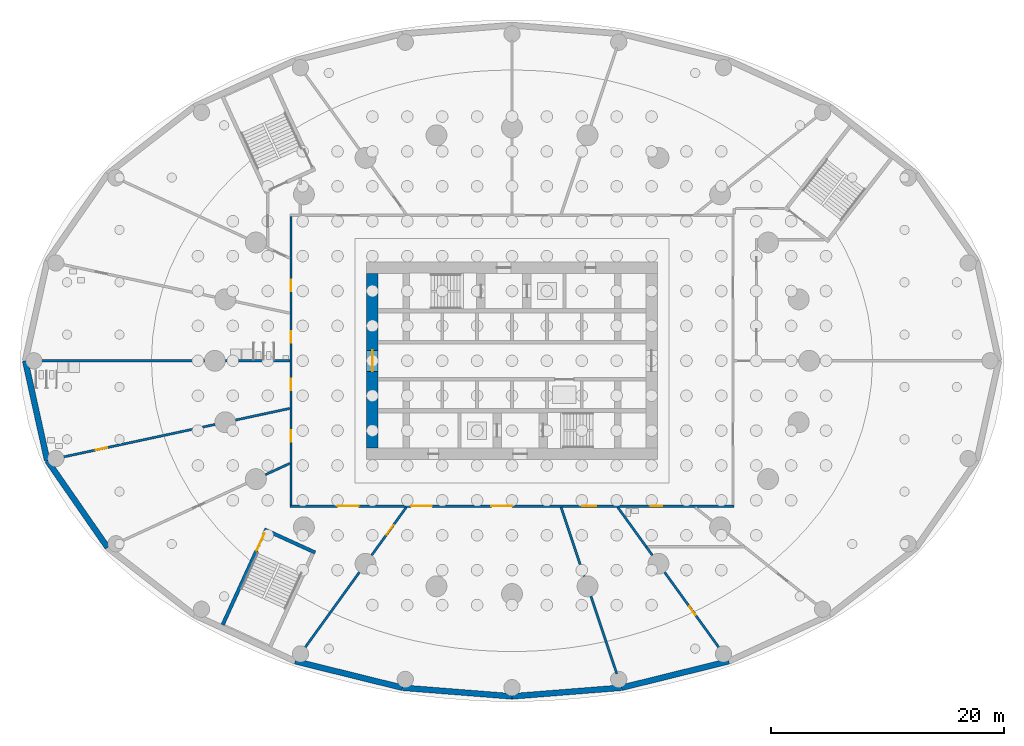
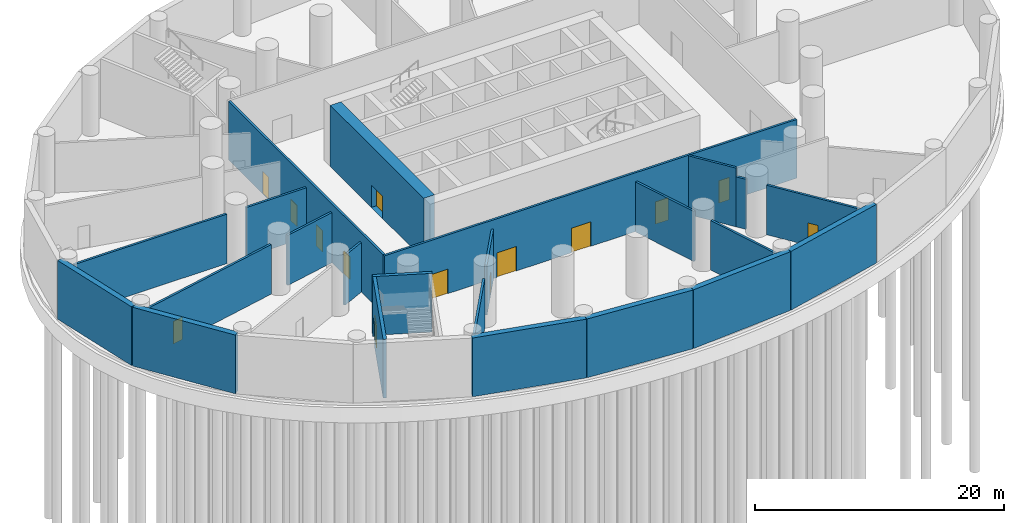
# One storey, part 4 of 12: 23 walls, 14 doors, 14 openings.
"""IFC4 building model written with IfcOpenShell, lengths in metres."""

from ifc_helpers import new_model, si_unit, direction, frame, frame_2d, origin, place, context, subcontext, project, spatial, rectangle, extrude, material, layer, layer_set, type_object, element, fill, save


model = new_model("IFC4")

# Units and contexts
model_context = context("Model", 3, precision=1e-05, world=origin(), true_north=direction((0.0, 1.0)))
body_context = subcontext(model_context, "Body", "Model", "MODEL_VIEW")
ifc_project = project(units=[si_unit("LENGTHUNIT", "METRE"), si_unit("AREAUNIT", "SQUARE_METRE"), si_unit("VOLUMEUNIT", "CUBIC_METRE"), si_unit("PLANEANGLEUNIT", "RADIAN"), si_unit("MASSUNIT", "GRAM", prefix="KILO")], contexts=[model_context])

# Site, building, storey
site_placement = place(None, origin())
site = spatial("IfcSite", under=ifc_project, at=site_placement, CompositionType="ELEMENT")
building_placement = place(site_placement, origin())
building = spatial("IfcBuilding", under=site, at=building_placement, Name="Hankou Lantern Tower", CompositionType="ELEMENT")
storey_placement = place(building_placement, frame((0.0, 0.0, -6.0)))
storey = spatial("IfcBuildingStorey", under=building, at=storey_placement, Name="B1", CompositionType="ELEMENT", Elevation=-6.0)

# Wall, opening, door
ifc_material_1 = material(Name="Concrete C60", Category="concrete")
ifc_layer_1 = layer(ifc_material_1, 1.0)
ifc_layer_set_1 = layer_set([ifc_layer_1], Name="Concrete C60")
wall_type_1 = type_object("IfcWallType", Name="CW1 CORE WALL 1000", PredefinedType="SHEAR", material=ifc_layer_set_1)
wall_1_placement = place(storey_placement, frame((-12.0, 7.5, 0.0), z_axis=(0.0, 0.0, 1.0), x_axis=(0.0, -1.0, 0.0)))
wall_1 = element("IfcWall", 1, at=wall_1_placement, inside=storey, type_object=wall_type_1, Name="Core wall west B1", PredefinedType="SHEAR", context=body_context, shape_type="SweptSolid", body=[
    extrude(rectangle(XDim=15.0, YDim=1.0, at=frame_2d((7.5, 0.0))), origin(), (0.0, 0.0, 1.0), 6.0),
])
opening_1_placement = place(wall_1_placement, frame((6.60009765625, 0.0, 0.0)))
opening_1 = element("IfcOpeningElement", 2, at=opening_1_placement, cuts=wall_1, Name="Opening D6", PredefinedType="OPENING", context=body_context, shape_type="SweptSolid", body=[
    extrude(rectangle(XDim=1.800048828125, YDim=2.199951171875, at=frame_2d((0.89990234375, 1.10009765625))), frame((0.0, 0.510009765625, 0.0), z_axis=(0.0, -1.0, 0.0), x_axis=(1.0, 0.0, 0.0)), (0.0, 0.0, 1.0), 1.02001953125),
])
ifc_material_2 = material(Name="Steel door leaf", Category="steel")
door_type_1 = type_object("IfcDoorType", Name="D6 LIFT LOBBY DOOR 1800X2200", OperationType="DOUBLE_DOOR_DOUBLE_SWING", PredefinedType="DOOR", material=ifc_material_2)
door_1_placement = place(opening_1_placement, origin())
door_1 = element("IfcDoor", 3, at=door_1_placement, inside=storey, type_object=door_type_1, Name="Lift lobby west door", OperationType="DOUBLE_DOOR_DOUBLE_SWING", OverallHeight=2.199951171875, OverallWidth=1.800048828125, PredefinedType="DOOR", context=body_context, shape_type="SweptSolid", body=[
    extrude(rectangle(XDim=1.800048828125, YDim=2.199951171875, at=frame_2d((0.89990234375, 1.10009765625))), frame((0.0, 0.02490234375, 0.0), z_axis=(0.0, -1.0, 0.0), x_axis=(1.0, 0.0, 0.0)), (0.0, 0.0, 1.0), 0.050048828125),
])
fill(opening_1, door_1)

ifc_material_3 = material(Name="Concrete C50", Category="concrete")
ifc_layer_2 = layer(ifc_material_3, 0.300048828125)
ifc_layer_set_2 = layer_set([ifc_layer_2], Name="Concrete C50")
wall_type_2 = type_object("IfcWallType", Name="CW7 PODIUM STAIR WALL 300", PredefinedType="SHEAR", material=ifc_layer_set_2)
wall_2_placement = place(storey_placement, frame((-21.218994140625, -14.690673828125, 0.0), z_axis=(0.0, 0.0, 1.0), x_axis=(-0.41534319891, -0.909664788325, 0.0)))
wall_2 = element("IfcWall", 4, at=wall_2_placement, inside=storey, type_object=wall_type_2, Name="Basement stair BS3 wall", PredefinedType="SHEAR", context=body_context, shape_type="SweptSolid", body=[
    extrude(rectangle(XDim=8.81005859375, YDim=0.300048828125, at=frame_2d((4.405029296875, 0.0))), origin(), (0.0, 0.0, 1.0), 5.75),
])
opening_2_placement = place(wall_2_placement, frame((0.169921875, 0.0, 0.0)))
opening_2 = element("IfcOpeningElement", 5, at=opening_2_placement, cuts=wall_2, Name="Opening D16", PredefinedType="OPENING", context=body_context, shape_type="SweptSolid", body=[
    extrude(rectangle(XDim=1.60009765625, YDim=2.10009765625, at=frame_2d((0.800048828125, 1.050048828125))), frame((0.0, 0.159912109375, 0.0), z_axis=(0.0, -1.0, 0.0), x_axis=(1.0, 0.0, 0.0)), (0.0, 0.0, 1.0), 0.320068359375),
])
ifc_material_4 = material(Name="Steel door leaf", Category="steel")
door_type_2 = type_object("IfcDoorType", Name="D16 PODIUM STAIR DOOR 1600X2100", OperationType="SINGLE_SWING_LEFT", PredefinedType="DOOR", material=ifc_material_4)
door_2_placement = place(opening_2_placement, origin())
door_2 = element("IfcDoor", 6, at=door_2_placement, inside=storey, type_object=door_type_2, Name="Basement stair BS3 door", OperationType="SINGLE_SWING_LEFT", OverallHeight=2.10009765625, OverallWidth=1.60009765625, PredefinedType="DOOR", context=body_context, shape_type="SweptSolid", body=[
    extrude(rectangle(XDim=1.60009765625, YDim=2.10009765625, at=frame_2d((0.800048828125, 1.050048828125))), frame((0.0, 0.02490234375, 0.0), z_axis=(0.0, -1.0, 0.0), x_axis=(1.0, 0.0, 0.0)), (0.0, 0.0, 1.0), 0.050048828125),
])
fill(opening_2, door_2)

# Wall
wall_3_placement = place(storey_placement, frame((-16.9267578125, -16.4853515625, 0.0), z_axis=(0.0, 0.0, 1.0), x_axis=(-0.90966669911, 0.415339013975, 0.0)))
element("IfcWall", 7, at=wall_3_placement, inside=storey, type_object=wall_type_2, Name="Basement stair BS3 wall", PredefinedType="SHEAR", context=body_context, shape_type="SweptSolid", body=[
    extrude(rectangle(XDim=4.800048828125, YDim=0.300048828125, at=frame_2d((2.39990234375, 0.0))), origin(), (0.0, 0.0, 1.0), 5.75),
])

# Wall, openings, doors
ifc_material_5 = material(Name="Masonry dense concrete block", Category="masonry")
ifc_layer_3 = layer(ifc_material_5, 0.199951171875)
ifc_layer_set_3 = layer_set([ifc_layer_3], Name="Masonry dense concrete block")
wall_type_3 = type_object("IfcWallType", Name="FW1 COMPARTMENT FIRE WALL 200", PredefinedType="PARTITIONING", material=ifc_layer_set_3)
wall_4_placement = place(storey_placement, frame((19.10009765625, -12.5, 0.0), z_axis=(0.0, 0.0, 1.0), x_axis=(-1.0, 0.0, 0.0)))
wall_4 = element("IfcWall", 8, at=wall_4_placement, inside=storey, type_object=wall_type_3, Name="Foyer fire wall south", PredefinedType="PARTITIONING", context=body_context, shape_type="SweptSolid", body=[
    extrude(rectangle(XDim=38.2001953125, YDim=0.199951171875, at=frame_2d((19.10009765625, 0.0))), origin(), (0.0, 0.0, 1.0), 5.75),
])
opening_3_placement = place(wall_4_placement, frame((32.296630859375, 0.0, 0.0)))
opening_3 = element("IfcOpeningElement", 9, at=opening_3_placement, cuts=wall_4, Name="Opening D36", PredefinedType="OPENING", context=body_context, shape_type="SweptSolid", body=[
    extrude(rectangle(XDim=1.800048828125, YDim=2.39990234375, at=frame_2d((0.89990234375, 1.199951171875))), frame((0.0, 0.10986328125, 0.0), z_axis=(0.0, -1.0, 0.0), x_axis=(1.0, 0.0, 0.0)), (0.0, 0.0, 1.0), 0.219970703125),
])
opening_4_placement = place(wall_4_placement, frame((19.079345703125, 0.0, 0.0)))
opening_4 = element("IfcOpeningElement", 10, at=opening_4_placement, cuts=wall_4, Name="Opening D36", PredefinedType="OPENING", context=body_context, shape_type="SweptSolid", body=[
    extrude(rectangle(XDim=1.800048828125, YDim=2.39990234375, at=frame_2d((0.89990234375, 1.199951171875))), frame((0.0, 0.10986328125, 0.0), z_axis=(0.0, -1.0, 0.0), x_axis=(1.0, 0.0, 0.0)), (0.0, 0.0, 1.0), 0.219970703125),
])
opening_5_placement = place(wall_4_placement, frame((11.84326171875, 0.0, 0.0)))
opening_5 = element("IfcOpeningElement", 11, at=opening_5_placement, cuts=wall_4, Name="Opening D39", PredefinedType="OPENING", context=body_context, shape_type="SweptSolid", body=[
    extrude(rectangle(XDim=1.199951171875, YDim=2.199951171875, at=frame_2d((0.60009765625, 1.10009765625))), frame((0.0, 0.10986328125, 0.0), z_axis=(0.0, -1.0, 0.0), x_axis=(1.0, 0.0, 0.0)), (0.0, 0.0, 1.0), 0.219970703125),
])
opening_6_placement = place(wall_4_placement, frame((6.178466796875, 0.0, 0.0)))
opening_6 = element("IfcOpeningElement", 12, at=opening_6_placement, cuts=wall_4, Name="Opening D38", PredefinedType="OPENING", context=body_context, shape_type="SweptSolid", body=[
    extrude(rectangle(XDim=1.0, YDim=2.199951171875, at=frame_2d((0.5, 1.10009765625))), frame((0.0, 0.10986328125, 0.0), z_axis=(0.0, -1.0, 0.0), x_axis=(1.0, 0.0, 0.0)), (0.0, 0.0, 1.0), 0.219970703125),
])
opening_7_placement = place(wall_4_placement, frame((25.979248046875, 0.0, 0.0)))
opening_7 = element("IfcOpeningElement", 13, at=opening_7_placement, cuts=wall_4, Name="Opening D36", PredefinedType="OPENING", context=body_context, shape_type="SweptSolid", body=[
    extrude(rectangle(XDim=1.800048828125, YDim=2.39990234375, at=frame_2d((0.89990234375, 1.199951171875))), frame((0.0, 0.10986328125, 0.0), z_axis=(0.0, -1.0, 0.0), x_axis=(1.0, 0.0, 0.0)), (0.0, 0.0, 1.0), 0.219970703125),
])
ifc_material_6 = material(Name="Steel door leaf", Category="steel")
door_type_3 = type_object("IfcDoorType", Name="D36 CLASS A DOUBLE DOOR 1800X2400", OperationType="DOUBLE_DOOR_DOUBLE_SWING", PredefinedType="DOOR", material=ifc_material_6)
door_3_placement = place(opening_3_placement, origin())
door_3 = element("IfcDoor", 14, at=door_3_placement, inside=storey, type_object=door_type_3, Name="Staff dining room door", OperationType="DOUBLE_DOOR_DOUBLE_SWING", OverallHeight=2.39990234375, OverallWidth=1.800048828125, PredefinedType="DOOR", context=body_context, shape_type="SweptSolid", body=[
    extrude(rectangle(XDim=1.800048828125, YDim=2.39990234375, at=frame_2d((0.89990234375, 1.199951171875))), frame((0.0, 0.02490234375, 0.0), z_axis=(0.0, -1.0, 0.0), x_axis=(1.0, 0.0, 0.0)), (0.0, 0.0, 1.0), 0.050048828125),
])
fill(opening_3, door_3)
door_4_placement = place(opening_4_placement, origin())
door_4 = element("IfcDoor", 15, at=door_4_placement, inside=storey, type_object=door_type_3, Name="Laundry door", OperationType="DOUBLE_DOOR_DOUBLE_SWING", OverallHeight=2.39990234375, OverallWidth=1.800048828125, PredefinedType="DOOR", context=body_context, shape_type="SweptSolid", body=[
    extrude(rectangle(XDim=1.800048828125, YDim=2.39990234375, at=frame_2d((0.89990234375, 1.199951171875))), frame((0.0, 0.02490234375, 0.0), z_axis=(0.0, -1.0, 0.0), x_axis=(1.0, 0.0, 0.0)), (0.0, 0.0, 1.0), 0.050048828125),
])
fill(opening_4, door_4)
door_5_placement = place(opening_7_placement, origin())
door_5 = element("IfcDoor", 16, at=door_5_placement, inside=storey, type_object=door_type_3, Name="Laundry second door", OperationType="DOUBLE_DOOR_DOUBLE_SWING", OverallHeight=2.39990234375, OverallWidth=1.800048828125, PredefinedType="DOOR", context=body_context, shape_type="SweptSolid", body=[
    extrude(rectangle(XDim=1.800048828125, YDim=2.39990234375, at=frame_2d((0.89990234375, 1.199951171875))), frame((0.0, 0.02490234375, 0.0), z_axis=(0.0, -1.0, 0.0), x_axis=(1.0, 0.0, 0.0)), (0.0, 0.0, 1.0), 0.050048828125),
])
fill(opening_7, door_5)
ifc_material_7 = material(Name="Steel door leaf", Category="steel")
door_type_4 = type_object("IfcDoorType", Name="D38 CLASS A ACCESSIBLE WC DOOR 1000X2200", OperationType="SLIDING_TO_LEFT", PredefinedType="DOOR", material=ifc_material_7)
door_6_placement = place(opening_6_placement, origin())
door_6 = element("IfcDoor", 17, at=door_6_placement, inside=storey, type_object=door_type_4, Name="Accessible staff WC door", OperationType="SLIDING_TO_LEFT", OverallHeight=2.199951171875, OverallWidth=1.0, PredefinedType="DOOR", context=body_context, shape_type="SweptSolid", body=[
    extrude(rectangle(XDim=1.0, YDim=2.199951171875, at=frame_2d((0.5, 1.10009765625))), frame((0.0, 0.02490234375, 0.0), z_axis=(0.0, -1.0, 0.0), x_axis=(1.0, 0.0, 0.0)), (0.0, 0.0, 1.0), 0.050048828125),
])
fill(opening_6, door_6)
ifc_material_8 = material(Name="Steel door leaf", Category="steel")
door_type_5 = type_object("IfcDoorType", Name="D39 CLASS A STORE DOOR 1200X2200", OperationType="SINGLE_SWING_LEFT", PredefinedType="DOOR", material=ifc_material_8)
door_7_placement = place(opening_5_placement, origin())
door_7 = element("IfcDoor", 18, at=door_7_placement, inside=storey, type_object=door_type_5, Name="Housekeeping store door", OperationType="SINGLE_SWING_RIGHT", OverallHeight=2.199951171875, OverallWidth=1.199951171875, PredefinedType="DOOR", context=body_context, shape_type="SweptSolid", body=[
    extrude(rectangle(XDim=1.199951171875, YDim=2.199951171875, at=frame_2d((0.60009765625, 1.10009765625))), frame((0.0, 0.02490234375, 0.0), z_axis=(0.0, -1.0, 0.0), x_axis=(1.0, 0.0, 0.0)), (0.0, 0.0, 1.0), 0.050048828125),
])
fill(opening_5, door_7)

wall_5_placement = place(storey_placement, frame((-19.0, 12.39990234375, 0.0), z_axis=(0.0, 0.0, 1.0), x_axis=(0.0, -1.0, 0.0)))
wall_5 = element("IfcWall", 19, at=wall_5_placement, inside=storey, type_object=wall_type_3, Name="Foyer fire wall west", PredefinedType="PARTITIONING", context=body_context, shape_type="SweptSolid", body=[
    extrude(rectangle(XDim=24.7998046875, YDim=0.199951171875, at=frame_2d((12.39990234375, 0.0))), origin(), (0.0, 0.0, 1.0), 5.75),
])
opening_8_placement = place(wall_5_placement, frame((5.44189453125, 0.0, 0.0)))
opening_8 = element("IfcOpeningElement", 20, at=opening_8_placement, cuts=wall_5, Name="Opening D40", PredefinedType="OPENING", context=body_context, shape_type="SweptSolid", body=[
    extrude(rectangle(XDim=1.0, YDim=2.199951171875, at=frame_2d((0.5, 1.10009765625))), frame((0.0, 0.10986328125, 0.0), z_axis=(0.0, -1.0, 0.0), x_axis=(1.0, 0.0, 0.0)), (0.0, 0.0, 1.0), 0.219970703125),
])
opening_9_placement = place(wall_5_placement, frame((9.852783203125, 0.0, 0.0)))
opening_9 = element("IfcOpeningElement", 21, at=opening_9_placement, cuts=wall_5, Name="Opening D37", PredefinedType="OPENING", context=body_context, shape_type="SweptSolid", body=[
    extrude(rectangle(XDim=1.0, YDim=2.10009765625, at=frame_2d((0.5, 1.050048828125))), frame((0.0, 0.10986328125, 0.0), z_axis=(0.0, -1.0, 0.0), x_axis=(1.0, 0.0, 0.0)), (0.0, 0.0, 1.0), 0.219970703125),
])
opening_10_placement = place(wall_5_placement, frame((13.947021484375, 0.0, 0.0)))
opening_10 = element("IfcOpeningElement", 22, at=opening_10_placement, cuts=wall_5, Name="Opening D37", PredefinedType="OPENING", context=body_context, shape_type="SweptSolid", body=[
    extrude(rectangle(XDim=1.0, YDim=2.10009765625, at=frame_2d((0.5, 1.050048828125))), frame((0.0, 0.10986328125, 0.0), z_axis=(0.0, -1.0, 0.0), x_axis=(1.0, 0.0, 0.0)), (0.0, 0.0, 1.0), 0.219970703125),
])
opening_11_placement = place(wall_5_placement, frame((18.358154296875, 0.0, 0.0)))
opening_11 = element("IfcOpeningElement", 23, at=opening_11_placement, cuts=wall_5, Name="Opening D40", PredefinedType="OPENING", context=body_context, shape_type="SweptSolid", body=[
    extrude(rectangle(XDim=1.0, YDim=2.199951171875, at=frame_2d((0.5, 1.10009765625))), frame((0.0, 0.10986328125, 0.0), z_axis=(0.0, -1.0, 0.0), x_axis=(1.0, 0.0, 0.0)), (0.0, 0.0, 1.0), 0.219970703125),
])
ifc_material_9 = material(Name="Steel door leaf", Category="steel")
door_type_6 = type_object("IfcDoorType", Name="D37 CLASS A WC DOOR 1000X2100", OperationType="SINGLE_SWING_LEFT", PredefinedType="DOOR", material=ifc_material_9)
door_8_placement = place(opening_9_placement, origin())
door_8 = element("IfcDoor", 24, at=door_8_placement, inside=storey, type_object=door_type_6, Name="Male staff WC and showers door", OperationType="SINGLE_SWING_LEFT", OverallHeight=2.10009765625, OverallWidth=1.0, PredefinedType="DOOR", context=body_context, shape_type="SweptSolid", body=[
    extrude(rectangle(XDim=1.0, YDim=2.10009765625, at=frame_2d((0.5, 1.050048828125))), frame((0.0, 0.02490234375, 0.0), z_axis=(0.0, -1.0, 0.0), x_axis=(1.0, 0.0, 0.0)), (0.0, 0.0, 1.0), 0.050048828125),
])
fill(opening_9, door_8)
door_9_placement = place(opening_10_placement, origin())
door_9 = element("IfcDoor", 25, at=door_9_placement, inside=storey, type_object=door_type_6, Name="Female staff WC and showers door", OperationType="SINGLE_SWING_RIGHT", OverallHeight=2.10009765625, OverallWidth=1.0, PredefinedType="DOOR", context=body_context, shape_type="SweptSolid", body=[
    extrude(rectangle(XDim=1.0, YDim=2.10009765625, at=frame_2d((0.5, 1.050048828125))), frame((0.0, 0.02490234375, 0.0), z_axis=(0.0, -1.0, 0.0), x_axis=(1.0, 0.0, 0.0)), (0.0, 0.0, 1.0), 0.050048828125),
])
fill(opening_10, door_9)
ifc_material_10 = material(Name="Steel door leaf", Category="steel")
door_type_7 = type_object("IfcDoorType", Name="D40 CLASS A ROOM DOOR 1000X2200", OperationType="SINGLE_SWING_LEFT", PredefinedType="DOOR", material=ifc_material_10)
door_10_placement = place(opening_8_placement, origin())
door_10 = element("IfcDoor", 26, at=door_10_placement, inside=storey, type_object=door_type_7, Name="Male staff locker room door", OperationType="SINGLE_SWING_LEFT", OverallHeight=2.199951171875, OverallWidth=1.0, PredefinedType="DOOR", context=body_context, shape_type="SweptSolid", body=[
    extrude(rectangle(XDim=1.0, YDim=2.199951171875, at=frame_2d((0.5, 1.10009765625))), frame((0.0, 0.02490234375, 0.0), z_axis=(0.0, -1.0, 0.0), x_axis=(1.0, 0.0, 0.0)), (0.0, 0.0, 1.0), 0.050048828125),
])
fill(opening_8, door_10)
door_11_placement = place(opening_11_placement, origin())
door_11 = element("IfcDoor", 27, at=door_11_placement, inside=storey, type_object=door_type_7, Name="Female staff locker room door", OperationType="SINGLE_SWING_RIGHT", OverallHeight=2.199951171875, OverallWidth=1.0, PredefinedType="DOOR", context=body_context, shape_type="SweptSolid", body=[
    extrude(rectangle(XDim=1.0, YDim=2.199951171875, at=frame_2d((0.5, 1.10009765625))), frame((0.0, 0.02490234375, 0.0), z_axis=(0.0, -1.0, 0.0), x_axis=(1.0, 0.0, 0.0)), (0.0, 0.0, 1.0), 0.050048828125),
])
fill(opening_11, door_11)

# Walls
wall_6_placement = place(storey_placement, frame((4.22021484375, -12.60009765625, 0.0), z_axis=(0.0, 0.0, 1.0), x_axis=(0.317584173452, -0.9482300843, 0.0)))
element("IfcWall", 28, at=wall_6_placement, inside=storey, type_object=wall_type_3, Name="Fire wall R20", PredefinedType="PARTITIONING", context=body_context, shape_type="SweptSolid", body=[
    extrude(rectangle(XDim=6.26220703125, YDim=0.199951171875, at=frame_2d((3.131103515625, 0.0))), origin(), (0.0, 0.0, 1.0), 4.89990234375),
])
wall_7_placement = place(storey_placement, frame((6.78076171875, -20.244873046875, 0.0), z_axis=(0.0, 0.0, 1.0), x_axis=(0.317580622989, -0.948231273425, 0.0)))
element("IfcWall", 29, at=wall_7_placement, inside=storey, type_object=wall_type_3, Name="Fire wall R20", PredefinedType="PARTITIONING", context=body_context, shape_type="SweptSolid", body=[
    extrude(rectangle(XDim=7.036376953125, YDim=0.199951171875, at=frame_2d((3.51806640625, 0.0))), origin(), (0.0, 0.0, 1.0), 4.85009765625),
])
ifc_material_11 = material(Name="Masonry dense concrete block", Category="masonry")
ifc_layer_4 = layer(ifc_material_11, 0.199951171875)
ifc_layer_set_4 = layer_set([ifc_layer_4], Name="Masonry dense concrete block")
wall_type_4 = type_object("IfcWallType", Name="IW9 2 H FIRE PARTITION 200", PredefinedType="PARTITIONING", material=ifc_layer_set_4)
wall_8_placement = place(storey_placement, frame((-19.10009765625, 0.0, 0.0), z_axis=(0.0, 0.0, 1.0), x_axis=(-1.0, 0.0, 0.0)))
element("IfcWall", 30, at=wall_8_placement, inside=storey, type_object=wall_type_4, Name="Partition R13", PredefinedType="PARTITIONING", context=body_context, shape_type="SweptSolid", body=[
    extrude(rectangle(XDim=5.5498046875, YDim=0.199951171875, at=frame_2d((2.77490234375, 0.0))), origin(), (0.0, 0.0, 1.0), 4.85009765625),
])
wall_9_placement = place(storey_placement, frame((-26.449951171875, 0.0, 0.0), z_axis=(0.0, 0.0, 1.0), x_axis=(-1.0, 0.0, 0.0)))
element("IfcWall", 31, at=wall_9_placement, inside=storey, type_object=wall_type_4, Name="Partition R13", PredefinedType="PARTITIONING", context=body_context, shape_type="SweptSolid", body=[
    extrude(rectangle(XDim=14.150146484375, YDim=0.199951171875, at=frame_2d((7.0751953125, 0.0))), origin(), (0.0, 0.0, 1.0), 4.85009765625),
])
wall_10_placement = place(storey_placement, frame((-19.10009765625, -4.09423828125, 0.0), z_axis=(0.0, 0.0, 1.0), x_axis=(-0.977784445586, -0.209612924148, 0.0)))
element("IfcWall", 32, at=wall_10_placement, inside=storey, type_object=wall_type_4, Name="Partition R14", PredefinedType="PARTITIONING", context=body_context, shape_type="SweptSolid", body=[
    extrude(rectangle(XDim=4.77294921875, YDim=0.199951171875, at=frame_2d((2.386474609375, 0.0))), origin(), (0.0, 0.0, 1.0), 4.89990234375),
])

# Wall, opening, door
wall_11_placement = place(storey_placement, frame((-25.527099609375, -5.471923828125, 0.0), z_axis=(0.0, 0.0, 1.0), x_axis=(-0.97778865169, -0.209593302913, 0.0)))
wall_11 = element("IfcWall", 33, at=wall_11_placement, inside=storey, type_object=wall_type_4, Name="Partition R14", PredefinedType="PARTITIONING", context=body_context, shape_type="SweptSolid", body=[
    extrude(rectangle(XDim=13.50146484375, YDim=0.199951171875, at=frame_2d((6.750732421875, 0.0))), origin(), (0.0, 0.0, 1.0), 4.85009765625),
])
opening_12_placement = place(wall_11_placement, frame((9.5, 0.0, 0.0)))
opening_12 = element("IfcOpeningElement", 34, at=opening_12_placement, cuts=wall_11, Name="Opening D28", PredefinedType="OPENING", context=body_context, shape_type="SweptSolid", body=[
    extrude(rectangle(XDim=1.0, YDim=2.199951171875, at=frame_2d((0.5, 1.10009765625))), frame((0.0, 0.10986328125, 0.0), z_axis=(0.0, -1.0, 0.0), x_axis=(1.0, 0.0, 0.0)), (0.0, 0.0, 1.0), 0.219970703125),
])
ifc_material_12 = material(Name="Steel door leaf", Category="steel")
door_type_8 = type_object("IfcDoorType", Name="D28 SERVICE DOOR 1000X2200", OperationType="SINGLE_SWING_LEFT", PredefinedType="DOOR", material=ifc_material_12)
door_12_placement = place(opening_12_placement, origin())
door_12 = element("IfcDoor", 35, at=door_12_placement, inside=storey, type_object=door_type_8, Name="Female staff WC and showers door to locker room", OperationType="SINGLE_SWING_RIGHT", OverallHeight=2.199951171875, OverallWidth=1.0, PredefinedType="DOOR", context=body_context, shape_type="SweptSolid", body=[
    extrude(rectangle(XDim=1.0, YDim=2.199951171875, at=frame_2d((0.5, 1.10009765625))), frame((0.0, 0.02490234375, 0.0), z_axis=(0.0, -1.0, 0.0), x_axis=(1.0, 0.0, 0.0)), (0.0, 0.0, 1.0), 0.050048828125),
])
fill(opening_12, door_12)

# Wall
wall_12_placement = place(storey_placement, frame((-19.10009765625, -8.822021484375, 0.0), z_axis=(0.0, 0.0, 1.0), x_axis=(-0.907872952542, -0.419245395971, 0.0)))
element("IfcWall", 36, at=wall_12_placement, inside=storey, type_object=wall_type_4, Name="Partition R15", PredefinedType="PARTITIONING", context=body_context, shape_type="SweptSolid", body=[
    extrude(rectangle(XDim=2.3154296875, YDim=0.199951171875, at=frame_2d((1.15771484375, 0.0))), origin(), (0.0, 0.0, 1.0), 4.85009765625),
])

# Wall, opening, door
wall_13_placement = place(storey_placement, frame((-9.09326171875, -12.60009765625, 0.0), z_axis=(0.0, 0.0, 1.0), x_axis=(-0.58522538525, -0.810870673079, 0.0)))
wall_13 = element("IfcWall", 37, at=wall_13_placement, inside=storey, type_object=wall_type_4, Name="Partition R17", PredefinedType="PARTITIONING", context=body_context, shape_type="SweptSolid", body=[
    extrude(rectangle(XDim=5.07666015625, YDim=0.199951171875, at=frame_2d((2.538330078125, 0.0))), origin(), (0.0, 0.0, 1.0), 4.89990234375),
])
opening_13_placement = place(wall_13_placement, frame((1.89990234375, 0.0, 0.0)))
opening_13 = element("IfcOpeningElement", 38, at=opening_13_placement, cuts=wall_13, Name="Opening D28", PredefinedType="OPENING", context=body_context, shape_type="SweptSolid", body=[
    extrude(rectangle(XDim=1.0, YDim=2.199951171875, at=frame_2d((0.5, 1.10009765625))), frame((0.0, 0.10986328125, 0.0), z_axis=(0.0, -1.0, 0.0), x_axis=(1.0, 0.0, 0.0)), (0.0, 0.0, 1.0), 0.219970703125),
])
door_13_placement = place(opening_13_placement, origin())
door_13 = element("IfcDoor", 39, at=door_13_placement, inside=storey, type_object=door_type_8, Name="Laundry door to dining room", OperationType="SINGLE_SWING_LEFT", OverallHeight=2.199951171875, OverallWidth=1.0, PredefinedType="DOOR", context=body_context, shape_type="SweptSolid", body=[
    extrude(rectangle(XDim=1.0, YDim=2.199951171875, at=frame_2d((0.5, 1.10009765625))), frame((0.0, 0.02490234375, 0.0), z_axis=(0.0, -1.0, 0.0), x_axis=(1.0, 0.0, 0.0)), (0.0, 0.0, 1.0), 0.050048828125),
])
fill(opening_13, door_13)

# Walls
wall_14_placement = place(storey_placement, frame((-13.11767578125, -18.17626953125, 0.0), z_axis=(0.0, 0.0, 1.0), x_axis=(-0.585204349301, -0.810885854828, 0.0)))
element("IfcWall", 40, at=wall_14_placement, inside=storey, type_object=wall_type_4, Name="Partition R17", PredefinedType="PARTITIONING", context=body_context, shape_type="SweptSolid", body=[
    extrude(rectangle(XDim=8.1611328125, YDim=0.199951171875, at=frame_2d((4.08056640625, 0.0))), origin(), (0.0, 0.0, 1.0), 4.85009765625),
])
wall_15_placement = place(storey_placement, frame((9.09326171875, -12.60009765625, 0.0), z_axis=(0.0, 0.0, 1.0), x_axis=(0.585235414458, -0.810863434657, 0.0)))
element("IfcWall", 41, at=wall_15_placement, inside=storey, type_object=wall_type_4, Name="Partition R21", PredefinedType="PARTITIONING", context=body_context, shape_type="SweptSolid", body=[
    extrude(rectangle(XDim=4.19287109375, YDim=0.199951171875, at=frame_2d((2.096435546875, 0.0))), origin(), (0.0, 0.0, 1.0), 5.75),
])
wall_16_placement = place(storey_placement, frame((11.547119140625, -16.0, 0.0), z_axis=(0.0, 0.0, 1.0), x_axis=(0.585177794961, -0.810905018041, 0.0)))
element("IfcWall", 42, at=wall_16_placement, inside=storey, type_object=wall_type_4, Name="Partition R21", PredefinedType="PARTITIONING", context=body_context, shape_type="SweptSolid", body=[
    extrude(rectangle(XDim=0.883544921875, YDim=0.199951171875, at=frame_2d((0.44189453125, 0.0))), origin(), (0.0, 0.0, 1.0), 4.89990234375),
])

# Wall, opening, door
wall_17_placement = place(storey_placement, frame((13.11767578125, -18.17626953125, 0.0), z_axis=(0.0, 0.0, 1.0), x_axis=(0.585204349301, -0.810885854828, 0.0)))
wall_17 = element("IfcWall", 43, at=wall_17_placement, inside=storey, type_object=wall_type_4, Name="Partition R21", PredefinedType="PARTITIONING", context=body_context, shape_type="SweptSolid", body=[
    extrude(rectangle(XDim=8.1611328125, YDim=0.199951171875, at=frame_2d((4.08056640625, 0.0))), origin(), (0.0, 0.0, 1.0), 4.85009765625),
])
opening_14_placement = place(wall_17_placement, frame((3.630615234375, 0.0, 0.0)))
opening_14 = element("IfcOpeningElement", 44, at=opening_14_placement, cuts=wall_17, Name="Opening D12", PredefinedType="OPENING", context=body_context, shape_type="SweptSolid", body=[
    extrude(rectangle(XDim=0.89990234375, YDim=2.199951171875, at=frame_2d((0.449951171875, 1.10009765625))), frame((0.0, 0.10986328125, 0.0), z_axis=(0.0, -1.0, 0.0), x_axis=(1.0, 0.0, 0.0)), (0.0, 0.0, 1.0), 0.219970703125),
])
ifc_material_13 = material(Name="Steel door leaf", Category="steel")
door_type_9 = type_object("IfcDoorType", Name="D12 STORE DOOR 900X2200", OperationType="SINGLE_SWING_LEFT", PredefinedType="DOOR", material=ifc_material_13)
door_14_placement = place(opening_14_placement, origin())
door_14 = element("IfcDoor", 45, at=door_14_placement, inside=storey, type_object=door_type_9, Name="Staff uniform store door", OperationType="SINGLE_SWING_LEFT", OverallHeight=2.199951171875, OverallWidth=0.89990234375, PredefinedType="DOOR", context=body_context, shape_type="SweptSolid", body=[
    extrude(rectangle(XDim=0.89990234375, YDim=2.199951171875, at=frame_2d((0.449951171875, 1.10009765625))), frame((0.0, 0.02490234375, 0.0), z_axis=(0.0, -1.0, 0.0), x_axis=(1.0, 0.0, 0.0)), (0.0, 0.0, 1.0), 0.050048828125),
])
fill(opening_14, door_14)

# Walls
ifc_material_14 = material(Name="Concrete C40", Category="concrete")
ifc_layer_5 = layer(ifc_material_14, 0.5)
ifc_layer_set_5 = layer_set([ifc_layer_5], Name="Concrete C40")
wall_type_5 = type_object("IfcWallType", Name="RW1 BASEMENT RETAINING WALL 500", PredefinedType="SOLIDWALL", material=ifc_layer_set_5)
wall_18_placement = place(storey_placement, frame((-41.85009765625, 0.0, 0.0), z_axis=(0.0, 0.0, 1.0), x_axis=(0.215170782675, -0.976576435454, 0.0)))
element("IfcWall", 46, at=wall_18_placement, inside=storey, type_object=wall_type_5, Name="Basement retaining wall R13", PredefinedType="SOLIDWALL", context=body_context, shape_type="SweptSolid", body=[
    extrude(rectangle(XDim=8.77197265625, YDim=0.5, at=frame_2d((4.385986328125, 0.0))), origin(), (0.0, 0.0, 1.0), 5.75),
])
wall_19_placement = place(storey_placement, frame((-39.962646484375, -8.56640625, 0.0), z_axis=(0.0, 0.0, 1.0), x_axis=(0.569815549616, -0.821772620264, 0.0)))
element("IfcWall", 47, at=wall_19_placement, inside=storey, type_object=wall_type_5, Name="Basement retaining wall R14", PredefinedType="SOLIDWALL", context=body_context, shape_type="SweptSolid", body=[
    extrude(rectangle(XDim=9.1171875, YDim=0.5, at=frame_2d((4.55859375, 0.0))), origin(), (0.0, 0.0, 1.0), 5.75),
])
wall_20_placement = place(storey_placement, frame((-18.64111328125, -25.829833984375, 0.0), z_axis=(0.0, 0.0, 1.0), x_axis=(0.97078133687, -0.239965822533, 0.0)))
element("IfcWall", 48, at=wall_20_placement, inside=storey, type_object=wall_type_5, Name="Basement retaining wall R17", PredefinedType="SOLIDWALL", context=body_context, shape_type="SweptSolid", body=[
    extrude(rectangle(XDim=9.50341796875, YDim=0.5, at=frame_2d((4.751708984375, 0.0))), origin(), (0.0, 0.0, 1.0), 5.75),
])
for number, where, z_axis, x_axis, name in (
    (49, (-9.415283203125, -28.1103515625, 0.0), (0.0, 0.0, 1.0), (0.996927700353, -0.078327263894, 0.0), "Basement retaining wall R18"),
    (50, (0.0, -28.85009765625, 0.0), (0.0, 0.0, 1.0), (0.996927700353, 0.078327263894, 0.0), "Basement retaining wall R19"),
):
    element("IfcWall", number, at=place(storey_placement, frame(where, z_axis=z_axis, x_axis=x_axis)), inside=storey, type_object=wall_type_5, Name=name, PredefinedType="SOLIDWALL", context=body_context, shape_type="SweptSolid", body=[
        extrude(rectangle(XDim=9.4443359375, YDim=0.5, at=frame_2d((4.72216796875, 0.0))), origin(), (0.0, 0.0, 1.0), 5.75),
    ])
wall_21_placement = place(storey_placement, frame((9.415283203125, -28.1103515625, 0.0), z_axis=(0.0, 0.0, 1.0), x_axis=(0.97078133687, 0.239965822533, 0.0)))
element("IfcWall", 51, at=wall_21_placement, inside=storey, type_object=wall_type_5, Name="Basement retaining wall R20", PredefinedType="SOLIDWALL", context=body_context, shape_type="SweptSolid", body=[
    extrude(rectangle(XDim=9.50341796875, YDim=0.5, at=frame_2d((4.751708984375, 0.0))), origin(), (0.0, 0.0, 1.0), 5.75),
])

save(model, "model.ifc")
